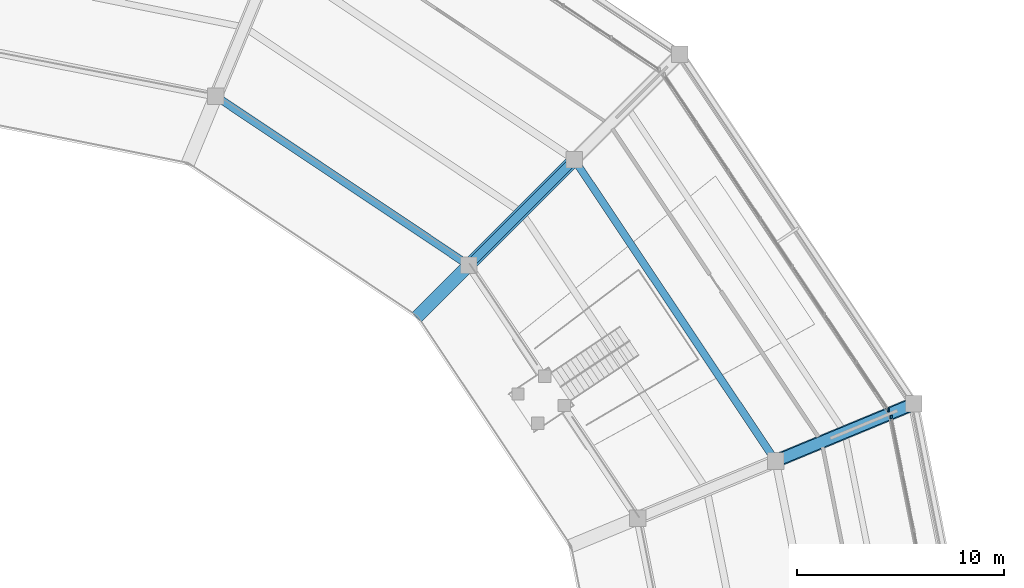
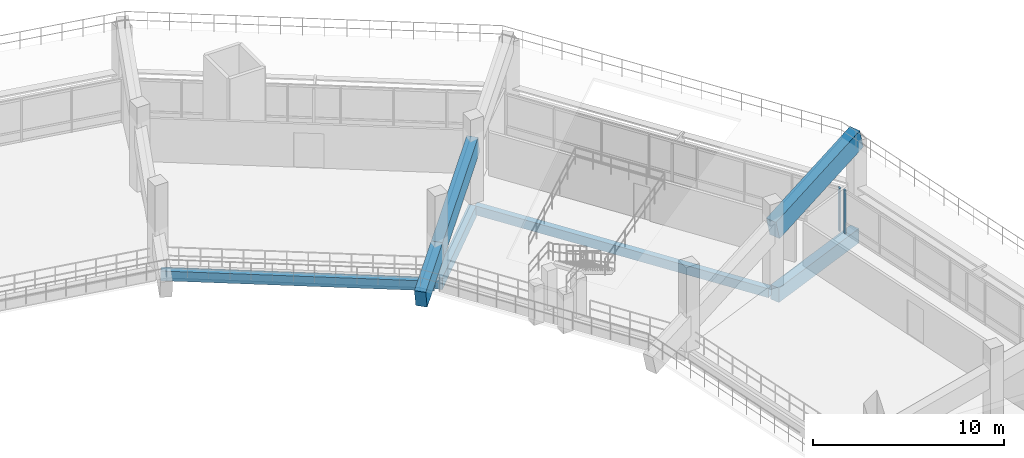
# One storey, part 37 of 96: 7 beams, 2 members, 2 elements without a shape of their own.
"""IFC4 building model written with IfcOpenShell, lengths in metres."""

from ifc_helpers import new_model, si_unit, direction, frame, origin, origin_2d, place, context, subcontext, project, spatial, rectangle, extrude, material, material_profile, profile_set, type_object, element, aggregate, save


model = new_model("IFC4")

# Units and contexts
model_context = context("Model", 3, precision=1e-05, world=origin(), true_north=direction((0.0, 1.0)))
body_context = subcontext(model_context, "Body", "Model", "MODEL_VIEW")
ifc_project = project(units=[si_unit("LENGTHUNIT", "METRE"), si_unit("AREAUNIT", "SQUARE_METRE"), si_unit("VOLUMEUNIT", "CUBIC_METRE"), si_unit("PLANEANGLEUNIT", "RADIAN"), si_unit("MASSUNIT", "GRAM", prefix="KILO")], contexts=[model_context])

# Site, building, storey
site_placement = place(None, origin())
site = spatial("IfcSite", under=ifc_project, at=site_placement, CompositionType="ELEMENT")
building_placement = place(site_placement, origin())
building = spatial("IfcBuilding", under=site, at=building_placement, Name="Candeia Ridge Stadium", CompositionType="ELEMENT")
storey_placement = place(building_placement, frame((0.0, 0.0, 21.60009765625)))
storey = spatial("IfcBuildingStorey", under=building, at=storey_placement, Name="L04", CompositionType="ELEMENT", Elevation=21.60009765625)

# Curtain wall, member
ifc_material_1 = material(Name="Aluminium Anodized Warm Bronze", Category="aluminium")
curtain_wall_type = type_object("IfcCurtainWallType", Name="Concourse Recessed Unitised Curtain Wall", PredefinedType="NOTDEFINED", material=ifc_material_1)
curtain_wall_1_placement = place(storey_placement, origin())
curtain_wall_1 = element("IfcCurtainWall", 1, at=curtain_wall_1_placement, inside=storey, type_object=curtain_wall_type, Name="Unitised curtain wall CW-BWL-L04-32", PredefinedType="NOTDEFINED")
ifc_material_profile_1 = material_profile(ifc_material_1, rectangle(XDim=0.090087890625, YDim=0.179931640625, at=origin_2d()), Name="CWM-90x180", Category="aluminium")
ifc_profile_set_1 = profile_set([ifc_material_profile_1], Name="Aluminium Anodized Warm Bronze")
member_type = type_object("IfcMemberType", Name="Curtain Wall Primary Mullion 90x180", PredefinedType="MULLION", material=ifc_profile_set_1)
member_1_placement = place(storey_placement, frame((187.96826171875, 114.263916015625, 0.0), z_axis=(0.0, 0.0, 1.0), x_axis=(1.0, 0.0, 0.0)))
member_1 = element("IfcMember", 2, at=member_1_placement, type_object=member_type, Name="Curtain wall mullion CW-BWL-L04-32-M7", PredefinedType="MULLION", context=body_context, shape_type="SweptSolid", body=[
    extrude(rectangle(XDim=0.090087890625, YDim=0.179931640625, at=origin_2d()), origin(), (0.0, 0.0, 1.0), 2.772216796875),
])
aggregate(curtain_wall_1, [member_1])

curtain_wall_2_placement = place(storey_placement, origin())
curtain_wall_2 = element("IfcCurtainWall", 3, at=curtain_wall_2_placement, inside=storey, type_object=curtain_wall_type, Name="Unitised curtain wall CW-BWL-L04-33", PredefinedType="NOTDEFINED")
member_2_placement = place(storey_placement, frame((187.8330078125, 114.590087890625, 0.0), z_axis=(0.0, 0.0, 1.0), x_axis=(1.0, 0.0, 0.0)))
member_2 = element("IfcMember", 4, at=member_2_placement, type_object=member_type, Name="Curtain wall mullion CW-BWL-L04-33-M0", PredefinedType="MULLION", context=body_context, shape_type="SweptSolid", body=[
    extrude(rectangle(XDim=0.090087890625, YDim=0.179931640625, at=origin_2d()), origin(), (0.0, 0.0, 1.0), 2.772216796875),
])
aggregate(curtain_wall_2, [member_2])

# Beams
ifc_material_2 = material(Name="Concrete C40/50", Category="concrete")
ifc_material_profile_2 = material_profile(ifc_material_2, rectangle(XDim=0.360107421875, YDim=0.580078125, at=origin_2d()), Name="RC360x580", Category="concrete")
ifc_profile_set_2 = profile_set([ifc_material_profile_2], Name="Concrete C40/50")
beam_type_1 = type_object("IfcBeamType", Name="Frame Girder RC360x580", PredefinedType="BEAM", material=ifc_profile_set_2)
beam_1_placement = place(storey_placement, frame((182.301025390625, 112.27734375, -0.550048828125), z_axis=(-0.555573223542, 0.831467614091, 0.0), x_axis=(-0.831467614091, -0.555573223542, 0.0)))
element("IfcBeam", 5, at=beam_1_placement, inside=storey, type_object=beam_type_1, Name="Concourse spine girder BM-L04-0948", PredefinedType="BEAM", context=body_context, shape_type="SweptSolid", body=[
    extrude(rectangle(XDim=0.360107421875, YDim=0.580078125, at=origin_2d()), origin(), (0.0, 0.0, 1.0), 17.16015625),
])
ifc_material_profile_3 = material_profile(ifc_material_2, rectangle(XDim=0.3798828125, YDim=0.6201171875, at=origin_2d()), Name="RC380x620", Category="concrete")
ifc_profile_set_3 = profile_set([ifc_material_profile_3], Name="Concrete C40/50")
beam_type_2 = type_object("IfcBeamType", Name="Frame Girder RC380x620", PredefinedType="BEAM", material=ifc_profile_set_3)
beam_2_placement = place(storey_placement, frame((167.4541015625, 121.676025390625, -0.570068359375), z_axis=(-0.831466176057, 0.55557537569, 0.0), x_axis=(-0.55557537569, -0.831466176057, 0.0)))
element("IfcBeam", 6, at=beam_2_placement, inside=storey, type_object=beam_type_2, Name="Bowl inner ring girder BM-L04-0952", PredefinedType="BEAM", context=body_context, shape_type="SweptSolid", body=[
    extrude(rectangle(XDim=0.3798828125, YDim=0.6201171875, at=origin_2d()), origin(), (0.0, 0.0, 1.0), 14.350830078125),
])
ifc_material_profile_4 = material_profile(ifc_material_2, rectangle(XDim=0.429931640625, YDim=0.739990234375, at=origin_2d()), Name="RC430x740", Category="concrete")
ifc_profile_set_4 = profile_set([ifc_material_profile_4], Name="Concrete C40/50")
beam_type_3 = type_object("IfcBeamType", Name="Frame Girder RC430x740", PredefinedType="BEAM", material=ifc_profile_set_4)
beam_3_placement = place(storey_placement, frame((167.700439453125, 121.700439453125, -0.630126953125), z_axis=(0.707106781187, 0.707106781187, 0.0), x_axis=(-0.707106781187, 0.707106781187, 0.0)))
element("IfcBeam", 7, at=beam_3_placement, inside=storey, type_object=beam_type_3, Name="Bowl radial girder BM-L04-0789", PredefinedType="BEAM", context=body_context, shape_type="SweptSolid", body=[
    extrude(rectangle(XDim=0.429931640625, YDim=0.739990234375, at=origin_2d()), origin(), (0.0, 0.0, 1.0), 6.8798828125),
])
ifc_material_3 = material(Name="Concrete C45/55", Category="concrete")
ifc_material_profile_5 = material_profile(ifc_material_3, rectangle(XDim=0.550048828125, YDim=0.919921875, at=origin_2d()), Name="RC550x920", Category="concrete")
ifc_profile_set_5 = profile_set([ifc_material_profile_5], Name="Concrete C45/55")
beam_type_4 = type_object("IfcBeamType", Name="Frame Girder RC550x920", PredefinedType="BEAM", material=ifc_profile_set_5)
beam_4_placement = place(storey_placement, frame((182.53759765625, 112.20556640625, -0.72021484375), z_axis=(0.923880161031, 0.382681914982, 0.0), x_axis=(-0.382681914982, 0.923880161031, 0.0)))
element("IfcBeam", 8, at=beam_4_placement, inside=storey, type_object=beam_type_4, Name="Bowl radial girder BM-L04-0788", PredefinedType="BEAM", context=body_context, shape_type="SweptSolid", body=[
    extrude(rectangle(XDim=0.550048828125, YDim=0.919921875, at=origin_2d()), origin(), (0.0, 0.0, 1.0), 6.8798828125),
])
ifc_material_profile_6 = material_profile(ifc_material_3, rectangle(XDim=0.6201171875, YDim=1.179931640625, at=origin_2d()), Name="RC620x1180", Category="concrete")
ifc_profile_set_6 = profile_set([ifc_material_profile_6], Name="Concrete C45/55")
beam_type_5 = type_object("IfcBeamType", Name="Stand Raker Beam RC620x1180", PredefinedType="USERDEFINED", material=ifc_profile_set_6)
beam_5_placement = place(storey_placement, frame((167.587158203125, 121.587158203125, 1.66796875), z_axis=(0.684539585554, 0.684539585554, 0.250621450835), x_axis=(-0.707106781187, 0.707106781187, 0.0)))
element("IfcBeam", 9, at=beam_5_placement, inside=storey, type_object=beam_type_5, Name="Stand T3 inner raker beam 35", ObjectType="RAKER", PredefinedType="USERDEFINED", context=body_context, shape_type="SweptSolid", body=[
    extrude(rectangle(XDim=0.6201171875, YDim=1.179931640625, at=origin_2d()), origin(), (0.0, 0.0, 1.0), 7.4375),
])
beam_6_placement = place(storey_placement, frame((165.18310546875, 119.18310546875, 0.78759765625), z_axis=(0.684529473924, 0.684529473924, 0.250676681524), x_axis=(-0.707106781187, 0.707106781187, 0.0)))
element("IfcBeam", 10, at=beam_6_placement, inside=storey, type_object=beam_type_5, Name="Stand T3 cantilever raker beam 35", ObjectType="RAKER", PredefinedType="USERDEFINED", context=body_context, shape_type="SweptSolid", body=[
    extrude(rectangle(XDim=0.6201171875, YDim=1.179931640625, at=origin_2d()), origin(), (0.0, 0.0, 1.0), 3.511962890625),
])
ifc_material_profile_7 = material_profile(ifc_material_3, rectangle(XDim=0.64990234375, YDim=1.25, at=origin_2d()), Name="RC650x1250", Category="concrete")
ifc_profile_set_7 = profile_set([ifc_material_profile_7], Name="Concrete C45/55")
beam_type_6 = type_object("IfcBeamType", Name="Stand Raker Beam RC650x1250", PredefinedType="USERDEFINED", material=ifc_profile_set_7)
beam_7_placement = place(storey_placement, frame((182.389892578125, 112.144287109375, 3.531982421875), z_axis=(0.894373489566, 0.370472700699, 0.250691123094), x_axis=(-0.382693194178, 0.923875488976, 0.0)))
element("IfcBeam", 11, at=beam_7_placement, inside=storey, type_object=beam_type_6, Name="Stand T3 outer raker beam 34", ObjectType="RAKER", PredefinedType="USERDEFINED", context=body_context, shape_type="SweptSolid", body=[
    extrude(rectangle(XDim=0.64990234375, YDim=1.25, at=origin_2d()), origin(), (0.0, 0.0, 1.0), 7.4375),
])

save(model, "model.ifc")
